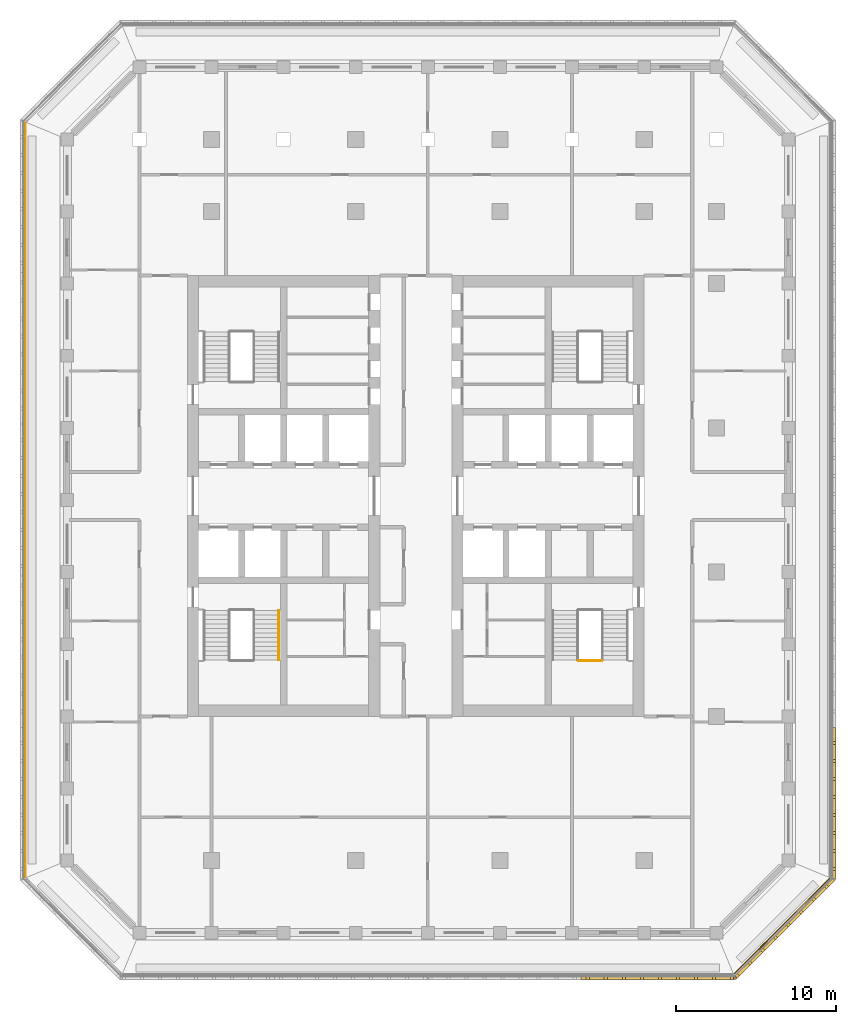
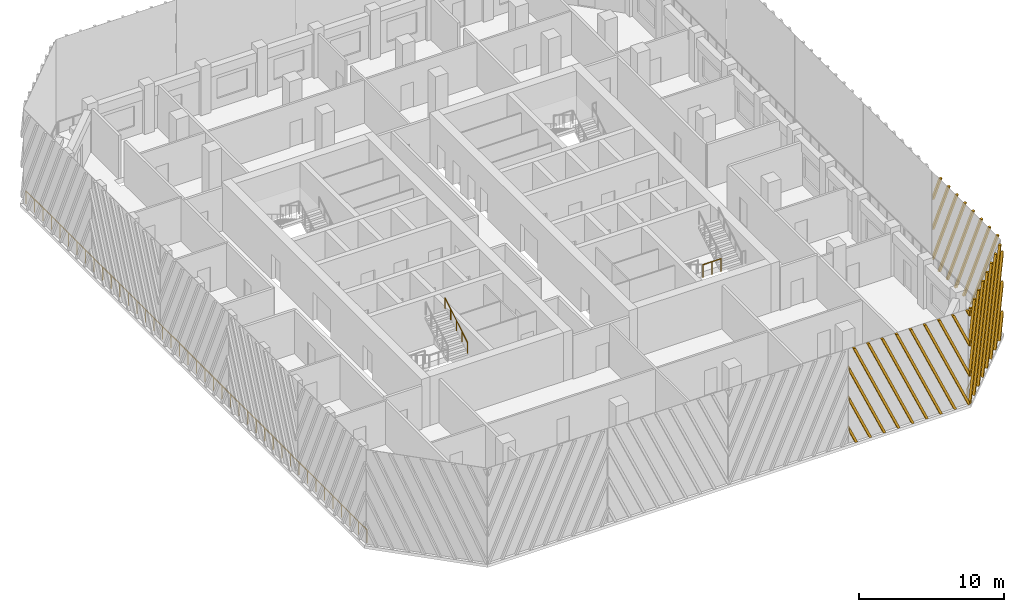
# One storey, part 11 of 17: 4 railings, 3 shading devices.
"""IFC4 building model written with IfcOpenShell, lengths in metres."""

import ifcopenshell
import ifcopenshell.guid

model = None  # the IFC model being written
_history = None  # IfcOwnerHistory: only IFC2X3 demands one
_inside = {}  # id of a spatial element -> (the spatial element, [elements in it])
_under = {}  # id of a project, library or spatial element -> (it, [spatial elements below it])
_declared = {}  # id of a project -> (the project, [libraries it declares])
_typed = {}  # id of a type object -> (the type object, [elements of that type])
_made_of = {}  # id of a material, layer set ... -> (it, [elements and type objects made of it])


def new_model(schema):
    """Start an empty IFC model of exactly this schema.

    Asked for "IFC4X3", IfcOpenShell would pick the latest addendum, in which some entities
    have other attributes; the version numbers below select the first issue.
    IFC2X3 requires an IfcOwnerHistory on every rooted entity: one is made here for all.
    """
    global model, _history
    if schema == "IFC4X3":
        model = ifcopenshell.file(schema_version=(4, 3, 0, 0))
    else:
        model = ifcopenshell.file(schema=schema)
    _inside.clear()
    _under.clear()
    _declared.clear()
    _typed.clear()
    _made_of.clear()
    _history = None
    if model.schema == "IFC2X3":
        org = make("IfcOrganization", Name="unknown")
        user = make(
            "IfcPersonAndOrganization",
            ThePerson=make("IfcPerson", FamilyName="unknown"),
            TheOrganization=org,
        )
        app = make(
            "IfcApplication",
            ApplicationDeveloper=org,
            Version="unknown",
            ApplicationFullName="unknown",
            ApplicationIdentifier="unknown",
        )
        _history = make(
            "IfcOwnerHistory",
            OwningUser=user,
            OwningApplication=app,
            ChangeAction="ADDED",
            CreationDate=0,
        )
    return model


def make(cls, **values):
    """One entity of the class cls with the attributes given. An attribute that is None is left unset."""
    return model.create_entity(
        cls, **{name: value for name, value in values.items() if value is not None}
    )


def rooted(cls, **values):
    """An entity with a GlobalId (a new one), such as an element, a storey or a relation."""
    return make(cls, GlobalId=ifcopenshell.guid.new(), OwnerHistory=_history, **values)


def si_unit(unit_type, name, prefix=None):
    """IfcSIUnit, for example si_unit("LENGTHUNIT", "METRE", prefix="MILLI")."""
    return make("IfcSIUnit", UnitType=unit_type, Prefix=prefix, Name=name)


def assignment(units):
    """IfcUnitAssignment: the units of a project."""
    return None if units is None else make("IfcUnitAssignment", Units=units)


def point(xyz):
    """IfcCartesianPoint."""
    return None if xyz is None else make("IfcCartesianPoint", Coordinates=xyz)


def direction(xyz):
    """IfcDirection."""
    return None if xyz is None else make("IfcDirection", DirectionRatios=xyz)


def frame(location, z_axis=None, x_axis=None):
    """IfcAxis2Placement3D, a coordinate frame: its origin and axes. An axis left out is left unset."""
    return make(
        "IfcAxis2Placement3D",
        Location=point(location),
        Axis=direction(z_axis),
        RefDirection=direction(x_axis),
    )


def frame_2d(location, x_axis=None):
    """IfcAxis2Placement2D, a coordinate frame in the plane: its origin and x axis."""
    return make(
        "IfcAxis2Placement2D", Location=point(location), RefDirection=direction(x_axis)
    )


def origin():
    """The frame at (0, 0, 0) with its axes left unset."""
    return frame((0.0, 0.0, 0.0))


def origin_2d():
    """The frame at (0, 0) in the plane with its x axis left unset."""
    return frame_2d((0.0, 0.0))


def place(relative_to, where):
    """IfcLocalPlacement: puts the frame where relative to a parent placement (None: the world)."""
    return make(
        "IfcLocalPlacement", PlacementRelTo=relative_to, RelativePlacement=where
    )


def context(
    kind, dimensions, precision=None, world=None, true_north=None, identifier=None
):
    """IfcGeometricRepresentationContext, for example the 3D "Model" context."""
    return make(
        "IfcGeometricRepresentationContext",
        ContextIdentifier=identifier,
        ContextType=kind,
        CoordinateSpaceDimension=dimensions,
        Precision=precision,
        WorldCoordinateSystem=world,
        TrueNorth=true_north,
    )


def subcontext(parent, identifier, kind, view, scale=None):
    """IfcGeometricRepresentationSubContext, for example "Body" below "Model"."""
    return make(
        "IfcGeometricRepresentationSubContext",
        ContextIdentifier=identifier,
        ContextType=kind,
        ParentContext=parent,
        TargetScale=scale,
        TargetView=view,
    )


def project(units=None, contexts=None):
    """IfcProject with its units and contexts."""
    return rooted(
        "IfcProject",
        Name="project",
        RepresentationContexts=contexts,
        UnitsInContext=assignment(units),
    )


def spatial(cls, under=None, at=None, **own):
    """A site, building, storey or space (cls), placed at a placement, below another one or the project."""
    s = rooted(cls, ObjectPlacement=at, **own)
    if under is not None:
        _under.setdefault(under.id(), (under, []))[1].append(s)
    return s


def polyline(points):
    """IfcPolyline through the points."""
    return make("IfcPolyline", Points=[point(p) for p in points])


def profile(cls, at=None, kind="AREA", **sizes):
    """A parametric profile (cls). Its sizes go by their IFC names, for example OverallWidth=200.0."""
    return make(cls, ProfileType=kind, Position=at, **sizes)


def circle(**sizes):
    """IfcCircleProfileDef."""
    return profile("IfcCircleProfileDef", **sizes)


def outline(outer, holes=None, kind="AREA"):
    """IfcArbitraryClosedProfileDef: a profile drawn as a closed curve; with holes, ...WithVoids."""
    if holes is None:
        return make("IfcArbitraryClosedProfileDef", ProfileType=kind, OuterCurve=outer)
    return make(
        "IfcArbitraryProfileDefWithVoids",
        ProfileType=kind,
        OuterCurve=outer,
        InnerCurves=holes,
    )


def extrude(swept, where, along, depth):
    """IfcExtrudedAreaSolid: the profile swept, set in the frame where, extruded along a direction by depth."""
    return make(
        "IfcExtrudedAreaSolid",
        SweptArea=swept,
        Position=where,
        ExtrudedDirection=direction(along),
        Depth=depth,
    )


def shape(context_of_items, identifier, shape_type, items):
    """IfcShapeRepresentation: the items that make up one representation, for example the "Body"."""
    return make(
        "IfcShapeRepresentation",
        ContextOfItems=context_of_items,
        RepresentationIdentifier=identifier,
        RepresentationType=shape_type,
        Items=items,
    )


def source(mapping_origin, context_of_items, identifier, shape_type, items):
    """IfcRepresentationMap: a shape defined once, which mapped items show again and again."""
    return make(
        "IfcRepresentationMap",
        MappingOrigin=mapping_origin,
        MappedRepresentation=shape(context_of_items, identifier, shape_type, items),
    )


def transform(
    local_origin,
    x_axis=None,
    y_axis=None,
    z_axis=None,
    scale=None,
    scale2=None,
    scale3=None,
    uniform=True,
):
    """IfcCartesianTransformationOperator3D, or its non-uniform kind. x_axis, y_axis, z_axis: its Axis1, 2, 3."""
    if uniform:
        return make(
            "IfcCartesianTransformationOperator3D",
            Axis1=direction(x_axis),
            Axis2=direction(y_axis),
            LocalOrigin=point(local_origin),
            Scale=scale,
            Axis3=direction(z_axis),
        )
    return make(
        "IfcCartesianTransformationOperator3DnonUniform",
        Axis1=direction(x_axis),
        Axis2=direction(y_axis),
        LocalOrigin=point(local_origin),
        Scale=scale,
        Axis3=direction(z_axis),
        Scale2=scale2,
        Scale3=scale3,
    )


def mapped(mapping_source, mapping_target):
    """IfcMappedItem: shows the shape of a source again, moved by a transform."""
    return make(
        "IfcMappedItem", MappingSource=mapping_source, MappingTarget=mapping_target
    )


def material(Name=None, Category=None):
    """IfcMaterial."""
    return make("IfcMaterial", Name=Name, Category=Category)


def made_of(thing, what):
    """Note that an element or type object is made of a material, layer set ...; save() writes the relation."""
    if what is not None:
        _made_of.setdefault(what.id(), (what, []))[1].append(thing)
    return thing


def type_object(cls, material=None, **own):
    """A type object (cls), such as IfcWallType, which elements share."""
    return made_of(rooted(cls, **own), material)


def element(
    cls,
    number,
    at=None,
    inside=None,
    cuts=None,
    type_object=None,
    material=None,
    context=None,
    identifier="Body",
    shape_type=None,
    held_by="IfcProductDefinitionShape",
    body=None,
    shapes=None,
    **own,
):
    """One element of the class cls, such as IfcWall. Its Tag is "e" and its number.

    at: its placement. inside: the storey or other place that contains it. cuts: it is an
    opening in that element (IfcRelVoidsElement). A single representation is given by context,
    identifier, shape_type and body (its items); several are given by shapes. held_by: the class
    of the entity that holds the representations. save() writes the other relations.
    """
    e = rooted(cls, Tag="e%d" % number, ObjectPlacement=at, **own)
    if body is not None:
        shapes = [shape(context, identifier, shape_type, body)]
    if shapes is not None:
        e.Representation = make(held_by, Representations=shapes)
    if inside is not None:
        _inside.setdefault(inside.id(), (inside, []))[1].append(e)
    if cuts is not None:
        rooted(
            "IfcRelVoidsElement", RelatingBuildingElement=cuts, RelatedOpeningElement=e
        )
    if type_object is not None:
        _typed.setdefault(type_object.id(), (type_object, []))[1].append(e)
    return made_of(e, material)


def aggregate(whole, parts):
    """IfcRelAggregates: a whole, such as a stair, and the parts it consists of."""
    return rooted("IfcRelAggregates", RelatingObject=whole, RelatedObjects=parts)


def save(model, path):
    """Write the relations noted so far, then the file.

    IfcRelAggregates (storeys below a building ...), IfcRelContainedInSpatialStructure (elements
    in a storey), IfcRelDefinesByType, IfcRelAssociatesMaterial and IfcRelDeclares: one each for
    every whole, place, type object, material and project.
    """
    for whole, parts in _under.values():
        aggregate(whole, parts)
    for where, things in _inside.values():
        rooted(
            "IfcRelContainedInSpatialStructure",
            RelatedElements=things,
            RelatingStructure=where,
        )
    for kind, things in _typed.values():
        rooted("IfcRelDefinesByType", RelatedObjects=things, RelatingType=kind)
    for what, things in _made_of.values():
        rooted("IfcRelAssociatesMaterial", RelatedObjects=things, RelatingMaterial=what)
    for by, libraries in _declared.values():
        rooted("IfcRelDeclares", RelatingContext=by, RelatedDefinitions=libraries)
    model.write(path)


model = new_model("IFC4")

# Units and contexts
model_context = context("Model", 3, precision=1e-05, world=origin(), true_north=direction((0.0, 1.0)))
body_context = subcontext(model_context, "Body", "Model", "MODEL_VIEW")
ifc_project = project(units=[si_unit("LENGTHUNIT", "METRE"), si_unit("AREAUNIT", "SQUARE_METRE"), si_unit("VOLUMEUNIT", "CUBIC_METRE"), si_unit("PLANEANGLEUNIT", "RADIAN"), si_unit("MASSUNIT", "GRAM", prefix="KILO")], contexts=[model_context])

# Site, building, storey
site_placement = place(None, origin())
site = spatial("IfcSite", under=ifc_project, at=site_placement, CompositionType="ELEMENT")
building_placement = place(site_placement, origin())
building = spatial("IfcBuilding", under=site, at=building_placement, Name="Corbel Stack Research Tower", CompositionType="ELEMENT")
storey_placement = place(building_placement, frame((0.0, 0.0, 231.60009765625)))
storey = spatial("IfcBuildingStorey", under=building, at=storey_placement, Name="L52", CompositionType="ELEMENT", Elevation=231.60009765625)

# Railings
ifc_material_1 = material(Name="Steel S355", Category="steel")
railing_type_1 = type_object("IfcRailingType", Name="Stair guard 1100", PredefinedType="GUARDRAIL", material=ifc_material_1)
railing_1_placement = place(storey_placement, frame((13.89990234375, -5.530029296875, 2.0498046875)))
element("IfcRailing", 1, at=railing_1_placement, inside=storey, type_object=railing_type_1, Name="L52 ST-E1 stair guard 2", PredefinedType="GUARDRAIL", context=body_context, shape_type="SweptSolid", body=[
    extrude(circle(Radius=0.02392578125, at=origin_2d()), frame((0.0, 0.0, 1.076171875), z_axis=(1.0, 0.0, 0.0), x_axis=(0.0, 1.0, 0.0)), (0.0, 0.0, 1.0), 1.4501953125),
    extrude(circle(Radius=0.02099609375, at=origin_2d()), origin(), (0.0, 0.0, 1.0), 1.052001953125),
    extrude(circle(Radius=0.02099609375, at=origin_2d()), frame((0.72509765625, 0.0, 0.0)), (0.0, 0.0, 1.0), 1.052001953125),
    extrude(circle(Radius=0.02099609375, at=origin_2d()), frame((1.4501953125, 0.0, 0.0)), (0.0, 0.0, 1.0), 1.052001953125),
])
ifc_material_2 = material(Name="Steel S355", Category="steel")
railing_type_2 = type_object("IfcRailingType", Name="Stair handrail 900", PredefinedType="HANDRAIL", material=ifc_material_2)
railing_2_placement = place(storey_placement, frame((-4.800048828125, -5.47998046875, 2.220703125)))
element("IfcRailing", 2, at=railing_2_placement, inside=storey, type_object=railing_type_2, Name="L52 ST-W1 stair handrail 2", PredefinedType="HANDRAIL", context=body_context, shape_type="SweptSolid", body=[
    extrude(circle(Radius=0.02392578125, at=origin_2d()), frame((0.0, 0.0, 0.8759765625), z_axis=(0.0, 0.853666305674, 0.52082035152), x_axis=(-1.0, 0.0, 0.0)), (0.0, 0.0, 1.0), 3.608154296875),
    extrude(circle(Radius=0.02099609375, at=origin_2d()), origin(), (0.0, 0.0, 1.0), 0.851806640625),
    extrude(circle(Radius=0.02099609375, at=origin_2d()), frame((0.0, 0.77001953125, 0.4697265625)), (0.0, 0.0, 1.0), 0.851806640625),
    extrude(circle(Radius=0.02099609375, at=origin_2d()), frame((0.0, 1.5400390625, 0.939453125)), (0.0, 0.0, 1.0), 0.851806640625),
    extrude(circle(Radius=0.02099609375, at=origin_2d()), frame((0.0, 2.31005859375, 1.409423828125)), (0.0, 0.0, 1.0), 0.851806640625),
    extrude(circle(Radius=0.02099609375, at=origin_2d()), frame((0.0, 3.080078125, 1.879150390625)), (0.0, 0.0, 1.0), 0.851806640625),
])
ifc_material_3 = material(Name="Powder-coated steel guard", Category="steel")
railing_type_3 = type_object("IfcRailingType", Name="Steel and glass guard 1100", PredefinedType="GUARDRAIL", material=ifc_material_3)
railing_3_placement = place(storey_placement, frame((23.627685546875, -25.04931640625, 0.0)))
element("IfcRailing", 3, at=railing_3_placement, inside=storey, type_object=railing_type_3, Name="Loggia guard L52 SE", PredefinedType="GUARDRAIL", context=body_context, shape_type="SweptSolid", body=[
    extrude(circle(Radius=0.02392578125, at=origin_2d()), frame((0.0, 0.0, 1.076171875), z_axis=(0.707106781187, 0.707106781187, 0.0), x_axis=(-0.707106781187, 0.707106781187, 0.0)), (0.0, 0.0, 1.0), 8.37451171875),
    extrude(circle(Radius=0.02099609375, at=origin_2d()), origin(), (0.0, 0.0, 1.0), 1.052001953125),
    extrude(circle(Radius=0.02099609375, at=origin_2d()), frame((0.845947265625, 0.845947265625, 0.0)), (0.0, 0.0, 1.0), 1.052001953125),
    extrude(circle(Radius=0.02099609375, at=origin_2d()), frame((1.69189453125, 1.69189453125, 0.0)), (0.0, 0.0, 1.0), 1.052001953125),
    extrude(circle(Radius=0.02099609375, at=origin_2d()), frame((2.537841796875, 2.537841796875, 0.0)), (0.0, 0.0, 1.0), 1.052001953125),
    extrude(circle(Radius=0.02099609375, at=origin_2d()), frame((3.3837890625, 3.3837890625, 0.0)), (0.0, 0.0, 1.0), 1.052001953125),
    extrude(circle(Radius=0.02099609375, at=origin_2d()), frame((4.229736328125, 4.229736328125, 0.0)), (0.0, 0.0, 1.0), 1.052001953125),
    extrude(circle(Radius=0.02099609375, at=origin_2d()), frame((5.07568359375, 5.07568359375, 0.0)), (0.0, 0.0, 1.0), 1.052001953125),
    extrude(circle(Radius=0.02099609375, at=origin_2d()), frame((5.921630859375, 5.921630859375, 0.0)), (0.0, 0.0, 1.0), 1.052001953125),
])
railing_4_placement = place(storey_placement, frame((-20.60009765625, 28.00537109375, 0.0)))
element("IfcRailing", 4, at=railing_4_placement, inside=storey, type_object=railing_type_3, Name="Loggia guard L52 W", PredefinedType="GUARDRAIL", context=body_context, shape_type="SweptSolid", body=[
    extrude(circle(Radius=0.02392578125, at=origin_2d()), frame((0.0, 0.0, 1.076171875), z_axis=(0.0, -1.0, 0.0), x_axis=(1.0, 0.0, 0.0)), (0.0, 0.0, 1.0), 47.0107421875),
    extrude(circle(Radius=0.02099609375, at=origin_2d()), origin(), (0.0, 0.0, 1.0), 1.052001953125),
    extrude(circle(Radius=0.02099609375, at=origin_2d()), frame((0.0, -1.17529296875, 0.0)), (0.0, 0.0, 1.0), 1.052001953125),
    extrude(circle(Radius=0.02099609375, at=origin_2d()), frame((0.0, -2.3505859375, 0.0)), (0.0, 0.0, 1.0), 1.052001953125),
    extrude(circle(Radius=0.02099609375, at=origin_2d()), frame((0.0, -3.52587890625, 0.0)), (0.0, 0.0, 1.0), 1.052001953125),
    extrude(circle(Radius=0.02099609375, at=origin_2d()), frame((0.0, -4.701171875, 0.0)), (0.0, 0.0, 1.0), 1.052001953125),
    extrude(circle(Radius=0.02099609375, at=origin_2d()), frame((0.0, -5.87646484375, 0.0)), (0.0, 0.0, 1.0), 1.052001953125),
    extrude(circle(Radius=0.02099609375, at=origin_2d()), frame((0.0, -7.051513671875, 0.0)), (0.0, 0.0, 1.0), 1.052001953125),
    extrude(circle(Radius=0.02099609375, at=origin_2d()), frame((0.0, -8.226806640625, 0.0)), (0.0, 0.0, 1.0), 1.052001953125),
    extrude(circle(Radius=0.02099609375, at=origin_2d()), frame((0.0, -9.402099609375, 0.0)), (0.0, 0.0, 1.0), 1.052001953125),
    extrude(circle(Radius=0.02099609375, at=origin_2d()), frame((0.0, -10.577392578125, 0.0)), (0.0, 0.0, 1.0), 1.052001953125),
    extrude(circle(Radius=0.02099609375, at=origin_2d()), frame((0.0, -11.752685546875, 0.0)), (0.0, 0.0, 1.0), 1.052001953125),
    extrude(circle(Radius=0.02099609375, at=origin_2d()), frame((0.0, -12.927978515625, 0.0)), (0.0, 0.0, 1.0), 1.052001953125),
    extrude(circle(Radius=0.02099609375, at=origin_2d()), frame((0.0, -14.103271484375, 0.0)), (0.0, 0.0, 1.0), 1.052001953125),
    extrude(circle(Radius=0.02099609375, at=origin_2d()), frame((0.0, -15.278564453125, 0.0)), (0.0, 0.0, 1.0), 1.052001953125),
    extrude(circle(Radius=0.02099609375, at=origin_2d()), frame((0.0, -16.453857421875, 0.0)), (0.0, 0.0, 1.0), 1.052001953125),
    extrude(circle(Radius=0.02099609375, at=origin_2d()), frame((0.0, -17.62890625, 0.0)), (0.0, 0.0, 1.0), 1.052001953125),
    extrude(circle(Radius=0.02099609375, at=origin_2d()), frame((0.0, -18.80419921875, 0.0)), (0.0, 0.0, 1.0), 1.052001953125),
    extrude(circle(Radius=0.02099609375, at=origin_2d()), frame((0.0, -19.9794921875, 0.0)), (0.0, 0.0, 1.0), 1.052001953125),
    extrude(circle(Radius=0.02099609375, at=origin_2d()), frame((0.0, -21.15478515625, 0.0)), (0.0, 0.0, 1.0), 1.052001953125),
    extrude(circle(Radius=0.02099609375, at=origin_2d()), frame((0.0, -22.330078125, 0.0)), (0.0, 0.0, 1.0), 1.052001953125),
    extrude(circle(Radius=0.02099609375, at=origin_2d()), frame((0.0, -23.50537109375, 0.0)), (0.0, 0.0, 1.0), 1.052001953125),
    extrude(circle(Radius=0.02099609375, at=origin_2d()), frame((0.0, -24.6806640625, 0.0)), (0.0, 0.0, 1.0), 1.052001953125),
    extrude(circle(Radius=0.02099609375, at=origin_2d()), frame((0.0, -25.85595703125, 0.0)), (0.0, 0.0, 1.0), 1.052001953125),
    extrude(circle(Radius=0.02099609375, at=origin_2d()), frame((0.0, -27.03125, 0.0)), (0.0, 0.0, 1.0), 1.052001953125),
    extrude(circle(Radius=0.02099609375, at=origin_2d()), frame((0.0, -28.20654296875, 0.0)), (0.0, 0.0, 1.0), 1.052001953125),
    extrude(circle(Radius=0.02099609375, at=origin_2d()), frame((0.0, -29.3818359375, 0.0)), (0.0, 0.0, 1.0), 1.052001953125),
    extrude(circle(Radius=0.02099609375, at=origin_2d()), frame((0.0, -30.556884765625, 0.0)), (0.0, 0.0, 1.0), 1.052001953125),
    extrude(circle(Radius=0.02099609375, at=origin_2d()), frame((0.0, -31.732177734375, 0.0)), (0.0, 0.0, 1.0), 1.052001953125),
    extrude(circle(Radius=0.02099609375, at=origin_2d()), frame((0.0, -32.907470703125, 0.0)), (0.0, 0.0, 1.0), 1.052001953125),
    extrude(circle(Radius=0.02099609375, at=origin_2d()), frame((0.0, -34.082763671875, 0.0)), (0.0, 0.0, 1.0), 1.052001953125),
    extrude(circle(Radius=0.02099609375, at=origin_2d()), frame((0.0, -35.258056640625, 0.0)), (0.0, 0.0, 1.0), 1.052001953125),
    extrude(circle(Radius=0.02099609375, at=origin_2d()), frame((0.0, -36.433349609375, 0.0)), (0.0, 0.0, 1.0), 1.052001953125),
    extrude(circle(Radius=0.02099609375, at=origin_2d()), frame((0.0, -37.608642578125, 0.0)), (0.0, 0.0, 1.0), 1.052001953125),
    extrude(circle(Radius=0.02099609375, at=origin_2d()), frame((0.0, -38.783935546875, 0.0)), (0.0, 0.0, 1.0), 1.052001953125),
    extrude(circle(Radius=0.02099609375, at=origin_2d()), frame((0.0, -39.959228515625, 0.0)), (0.0, 0.0, 1.0), 1.052001953125),
    extrude(circle(Radius=0.02099609375, at=origin_2d()), frame((0.0, -41.13427734375, 0.0)), (0.0, 0.0, 1.0), 1.052001953125),
    extrude(circle(Radius=0.02099609375, at=origin_2d()), frame((0.0, -42.3095703125, 0.0)), (0.0, 0.0, 1.0), 1.052001953125),
    extrude(circle(Radius=0.02099609375, at=origin_2d()), frame((0.0, -43.48486328125, 0.0)), (0.0, 0.0, 1.0), 1.052001953125),
    extrude(circle(Radius=0.02099609375, at=origin_2d()), frame((0.0, -44.66015625, 0.0)), (0.0, 0.0, 1.0), 1.052001953125),
    extrude(circle(Radius=0.02099609375, at=origin_2d()), frame((0.0, -45.83544921875, 0.0)), (0.0, 0.0, 1.0), 1.052001953125),
    extrude(circle(Radius=0.02099609375, at=origin_2d()), frame((0.0, -47.0107421875, 0.0)), (0.0, 0.0, 1.0), 1.052001953125),
])

# Shading devices
ifc_material_4 = material(Name="Precast terracotta", Category="masonry")
shading_device_type = type_object("IfcShadingDeviceType", Name="Terracotta screen panel", PredefinedType="USERDEFINED", material=ifc_material_4)
shared_shape_1 = source(origin(), body_context, "Body", "SweptSolid", [
    extrude(outline(polyline([(0.66455078125, 0.0), (0.0, 1.49267578125), (0.0, 1.06591796875), (0.474609375, 0.0), (0.66455078125, 0.0)])), frame((0.0, 0.0, 0.0), z_axis=(0.0, -1.0, 0.0), x_axis=(1.0, 0.0, 0.0)), (0.0, 0.0, 1.0), 0.179931640625),
    extrude(outline(polyline([(1.78955078125, 0.0), (0.0, 4.019287109375), (0.0, 3.592529296875), (1.599609375, 0.0), (1.78955078125, 0.0)])), frame((0.0, 0.0, 0.0), z_axis=(0.0, -1.0, 0.0), x_axis=(1.0, 0.0, 0.0)), (0.0, 0.0, 1.0), 0.179931640625),
    extrude(outline(polyline([(2.91455078125, 0.0), (0.0, 6.546142578125), (0.0, 6.119384765625), (2.724609375, 0.0), (2.91455078125, 0.0)])), frame((0.0, 0.0, 0.0), z_axis=(0.0, -1.0, 0.0), x_axis=(1.0, 0.0, 0.0)), (0.0, 0.0, 1.0), 0.179931640625),
    extrude(outline(polyline([(4.03955078125, 0.0), (0.5, 7.949951171875), (0.31005859375, 7.949951171875), (3.849609375, 0.0), (4.03955078125, 0.0)])), frame((0.0, 0.0, 0.0), z_axis=(0.0, -1.0, 0.0), x_axis=(1.0, 0.0, 0.0)), (0.0, 0.0, 1.0), 0.179931640625),
    extrude(outline(polyline([(5.16455078125, 0.0), (1.625, 7.949951171875), (1.43505859375, 7.949951171875), (4.974609375, 0.0), (5.16455078125, 0.0)])), frame((0.0, 0.0, 0.0), z_axis=(0.0, -1.0, 0.0), x_axis=(1.0, 0.0, 0.0)), (0.0, 0.0, 1.0), 0.179931640625),
    extrude(outline(polyline([(6.28955078125, 0.0), (2.75, 7.949951171875), (2.56005859375, 7.949951171875), (6.099609375, 0.0), (6.28955078125, 0.0)])), frame((0.0, 0.0, 0.0), z_axis=(0.0, -1.0, 0.0), x_axis=(1.0, 0.0, 0.0)), (0.0, 0.0, 1.0), 0.179931640625),
    extrude(outline(polyline([(7.41455078125, 0.0), (3.875, 7.949951171875), (3.68505859375, 7.949951171875), (7.224609375, 0.0), (7.41455078125, 0.0)])), frame((0.0, 0.0, 0.0), z_axis=(0.0, -1.0, 0.0), x_axis=(1.0, 0.0, 0.0)), (0.0, 0.0, 1.0), 0.179931640625),
    extrude(outline(polyline([(8.53955078125, 0.0), (5.0, 7.949951171875), (4.81005859375, 7.949951171875), (8.349609375, 0.0), (8.53955078125, 0.0)])), frame((0.0, 0.0, 0.0), z_axis=(0.0, -1.0, 0.0), x_axis=(1.0, 0.0, 0.0)), (0.0, 0.0, 1.0), 0.179931640625),
    extrude(outline(polyline([(9.569580078125, 0.0), (9.569580078125, 0.21337890625), (6.125, 7.949951171875), (5.93505859375, 7.949951171875), (9.474609375, 0.0), (9.569580078125, 0.0)])), frame((0.0, 0.0, 0.0), z_axis=(0.0, -1.0, 0.0), x_axis=(1.0, 0.0, 0.0)), (0.0, 0.0, 1.0), 0.179931640625),
    extrude(outline(polyline([(7.25, 7.949951171875), (7.06005859375, 7.949951171875), (9.569580078125, 2.3134765625), (9.569580078125, 2.740234375), (7.25, 7.949951171875)])), frame((0.0, 0.0, 0.0), z_axis=(0.0, -1.0, 0.0), x_axis=(1.0, 0.0, 0.0)), (0.0, 0.0, 1.0), 0.179931640625),
    extrude(outline(polyline([(8.375, 7.949951171875), (8.18505859375, 7.949951171875), (9.569580078125, 4.840087890625), (9.569580078125, 5.26708984375), (8.375, 7.949951171875)])), frame((0.0, 0.0, 0.0), z_axis=(0.0, -1.0, 0.0), x_axis=(1.0, 0.0, 0.0)), (0.0, 0.0, 1.0), 0.179931640625),
    extrude(outline(polyline([(9.5, 7.949951171875), (9.31005859375, 7.949951171875), (9.569580078125, 7.366943359375), (9.569580078125, 7.793701171875), (9.5, 7.949951171875)])), frame((0.0, 0.0, 0.0), z_axis=(0.0, -1.0, 0.0), x_axis=(1.0, 0.0, 0.0)), (0.0, 0.0, 1.0), 0.179931640625),
])
shading_device_1_placement = place(storey_placement, frame((14.069580078125, -25.25, 0.0), z_axis=(0.0, 0.0, 1.0), x_axis=(1.0, 0.0, 0.0)))
element("IfcShadingDevice", 5, at=shading_device_1_placement, inside=storey, type_object=shading_device_type, Name="Terracotta screen L52 S4", ObjectType="SCREEN", PredefinedType="USERDEFINED", context=body_context, shape_type="MappedRepresentation", body=[
    mapped(shared_shape_1, transform((0.0, 0.0, 0.0))),
])
shared_shape_2 = source(origin(), body_context, "Body", "SweptSolid", [
    extrude(outline(polyline([(0.259521484375, 7.949951171875), (0.069580078125, 7.949951171875), (0.0, 7.793701171875), (0.0, 7.366943359375), (0.259521484375, 7.949951171875)])), frame((0.0, 0.0, 0.0), z_axis=(0.0, -1.0, 0.0), x_axis=(1.0, 0.0, 0.0)), (0.0, 0.0, 1.0), 0.179931640625),
    extrude(outline(polyline([(1.384521484375, 7.949951171875), (1.194580078125, 7.949951171875), (0.0, 5.26708984375), (0.0, 4.840087890625), (1.384521484375, 7.949951171875)])), frame((0.0, 0.0, 0.0), z_axis=(0.0, -1.0, 0.0), x_axis=(1.0, 0.0, 0.0)), (0.0, 0.0, 1.0), 0.179931640625),
    extrude(outline(polyline([(2.509521484375, 7.949951171875), (2.319580078125, 7.949951171875), (0.0, 2.740234375), (0.0, 2.3134765625), (2.509521484375, 7.949951171875)])), frame((0.0, 0.0, 0.0), z_axis=(0.0, -1.0, 0.0), x_axis=(1.0, 0.0, 0.0)), (0.0, 0.0, 1.0), 0.179931640625),
    extrude(outline(polyline([(0.094970703125, 0.0), (3.634521484375, 7.949951171875), (3.444580078125, 7.949951171875), (0.0, 0.21337890625), (0.0, 0.0), (0.094970703125, 0.0)])), frame((0.0, 0.0, 0.0), z_axis=(0.0, -1.0, 0.0), x_axis=(1.0, 0.0, 0.0)), (0.0, 0.0, 1.0), 0.179931640625),
    extrude(outline(polyline([(1.219970703125, 0.0), (4.759521484375, 7.949951171875), (4.569580078125, 7.949951171875), (1.030029296875, 0.0), (1.219970703125, 0.0)])), frame((0.0, 0.0, 0.0), z_axis=(0.0, -1.0, 0.0), x_axis=(1.0, 0.0, 0.0)), (0.0, 0.0, 1.0), 0.179931640625),
    extrude(outline(polyline([(2.344970703125, 0.0), (5.884521484375, 7.949951171875), (5.694580078125, 7.949951171875), (2.155029296875, 0.0), (2.344970703125, 0.0)])), frame((0.0, 0.0, 0.0), z_axis=(0.0, -1.0, 0.0), x_axis=(1.0, 0.0, 0.0)), (0.0, 0.0, 1.0), 0.179931640625),
    extrude(outline(polyline([(3.469970703125, 0.0), (7.009521484375, 7.949951171875), (6.819580078125, 7.949951171875), (3.280029296875, 0.0), (3.469970703125, 0.0)])), frame((0.0, 0.0, 0.0), z_axis=(0.0, -1.0, 0.0), x_axis=(1.0, 0.0, 0.0)), (0.0, 0.0, 1.0), 0.179931640625),
    extrude(outline(polyline([(4.594970703125, 0.0), (8.134521484375, 7.949951171875), (7.944580078125, 7.949951171875), (4.405029296875, 0.0), (4.594970703125, 0.0)])), frame((0.0, 0.0, 0.0), z_axis=(0.0, -1.0, 0.0), x_axis=(1.0, 0.0, 0.0)), (0.0, 0.0, 1.0), 0.179931640625),
    extrude(outline(polyline([(5.719970703125, 0.0), (8.64208984375, 6.563232421875), (8.64208984375, 6.989990234375), (5.530029296875, 0.0), (5.719970703125, 0.0)])), frame((0.0, 0.0, 0.0), z_axis=(0.0, -1.0, 0.0), x_axis=(1.0, 0.0, 0.0)), (0.0, 0.0, 1.0), 0.179931640625),
    extrude(outline(polyline([(6.844970703125, 0.0), (8.64208984375, 4.036376953125), (8.64208984375, 4.463134765625), (6.655029296875, 0.0), (6.844970703125, 0.0)])), frame((0.0, 0.0, 0.0), z_axis=(0.0, -1.0, 0.0), x_axis=(1.0, 0.0, 0.0)), (0.0, 0.0, 1.0), 0.179931640625),
    extrude(outline(polyline([(7.969970703125, 0.0), (8.64208984375, 1.509521484375), (8.64208984375, 1.936279296875), (7.780029296875, 0.0), (7.969970703125, 0.0)])), frame((0.0, 0.0, 0.0), z_axis=(0.0, -1.0, 0.0), x_axis=(1.0, 0.0, 0.0)), (0.0, 0.0, 1.0), 0.179931640625),
])
shading_device_2_placement = place(storey_placement, frame((23.63916015625, -25.25, 0.0), z_axis=(0.0, 0.0, 1.0), x_axis=(0.707106781187, 0.707106781187, 0.0)))
element("IfcShadingDevice", 6, at=shading_device_2_placement, inside=storey, type_object=shading_device_type, Name="Terracotta screen L52 SE1", ObjectType="SCREEN", PredefinedType="USERDEFINED", context=body_context, shape_type="MappedRepresentation", body=[
    mapped(shared_shape_2, transform((0.0, 0.0, 0.0))),
])
shared_shape_3 = source(origin(), body_context, "Body", "SweptSolid", [
    extrude(outline(polyline([(0.862060546875, 0.0), (0.0, 1.936279296875), (0.0, 1.509521484375), (0.672119140625, 0.0), (0.862060546875, 0.0)])), frame((0.0, 0.0, 0.0), z_axis=(0.0, -1.0, 0.0), x_axis=(1.0, 0.0, 0.0)), (0.0, 0.0, 1.0), 0.179931640625),
    extrude(outline(polyline([(1.987060546875, 0.0), (0.0, 4.463134765625), (0.0, 4.036376953125), (1.797119140625, 0.0), (1.987060546875, 0.0)])), frame((0.0, 0.0, 0.0), z_axis=(0.0, -1.0, 0.0), x_axis=(1.0, 0.0, 0.0)), (0.0, 0.0, 1.0), 0.179931640625),
    extrude(outline(polyline([(3.112060546875, 0.0), (0.0, 6.989990234375), (0.0, 6.563232421875), (2.922119140625, 0.0), (3.112060546875, 0.0)])), frame((0.0, 0.0, 0.0), z_axis=(0.0, -1.0, 0.0), x_axis=(1.0, 0.0, 0.0)), (0.0, 0.0, 1.0), 0.179931640625),
    extrude(outline(polyline([(4.237060546875, 0.0), (0.697509765625, 7.949951171875), (0.507568359375, 7.949951171875), (4.047119140625, 0.0), (4.237060546875, 0.0)])), frame((0.0, 0.0, 0.0), z_axis=(0.0, -1.0, 0.0), x_axis=(1.0, 0.0, 0.0)), (0.0, 0.0, 1.0), 0.179931640625),
    extrude(outline(polyline([(5.362060546875, 0.0), (1.822509765625, 7.949951171875), (1.632568359375, 7.949951171875), (5.172119140625, 0.0), (5.362060546875, 0.0)])), frame((0.0, 0.0, 0.0), z_axis=(0.0, -1.0, 0.0), x_axis=(1.0, 0.0, 0.0)), (0.0, 0.0, 1.0), 0.179931640625),
    extrude(outline(polyline([(6.487060546875, 0.0), (2.947509765625, 7.949951171875), (2.757568359375, 7.949951171875), (6.297119140625, 0.0), (6.487060546875, 0.0)])), frame((0.0, 0.0, 0.0), z_axis=(0.0, -1.0, 0.0), x_axis=(1.0, 0.0, 0.0)), (0.0, 0.0, 1.0), 0.179931640625),
    extrude(outline(polyline([(7.612060546875, 0.0), (4.072509765625, 7.949951171875), (3.882568359375, 7.949951171875), (7.422119140625, 0.0), (7.612060546875, 0.0)])), frame((0.0, 0.0, 0.0), z_axis=(0.0, -1.0, 0.0), x_axis=(1.0, 0.0, 0.0)), (0.0, 0.0, 1.0), 0.179931640625),
    extrude(outline(polyline([(8.737060546875, 0.0), (5.197509765625, 7.949951171875), (5.007568359375, 7.949951171875), (8.547119140625, 0.0), (8.737060546875, 0.0)])), frame((0.0, 0.0, 0.0), z_axis=(0.0, -1.0, 0.0), x_axis=(1.0, 0.0, 0.0)), (0.0, 0.0, 1.0), 0.179931640625),
    extrude(outline(polyline([(6.322509765625, 7.949951171875), (6.132568359375, 7.949951171875), (9.45556640625, 0.486328125), (9.45556640625, 0.9130859375), (6.322509765625, 7.949951171875)])), frame((0.0, 0.0, 0.0), z_axis=(0.0, -1.0, 0.0), x_axis=(1.0, 0.0, 0.0)), (0.0, 0.0, 1.0), 0.179931640625),
    extrude(outline(polyline([(7.447509765625, 7.949951171875), (7.257568359375, 7.949951171875), (9.45556640625, 3.01318359375), (9.45556640625, 3.439697265625), (7.447509765625, 7.949951171875)])), frame((0.0, 0.0, 0.0), z_axis=(0.0, -1.0, 0.0), x_axis=(1.0, 0.0, 0.0)), (0.0, 0.0, 1.0), 0.179931640625),
    extrude(outline(polyline([(8.572509765625, 7.949951171875), (8.382568359375, 7.949951171875), (9.45556640625, 5.539794921875), (9.45556640625, 5.966552734375), (8.572509765625, 7.949951171875)])), frame((0.0, 0.0, 0.0), z_axis=(0.0, -1.0, 0.0), x_axis=(1.0, 0.0, 0.0)), (0.0, 0.0, 1.0), 0.179931640625),
])
shading_device_3_placement = place(storey_placement, frame((29.75, -19.13916015625, 0.0), z_axis=(0.0, 0.0, 1.0), x_axis=(0.0, 1.0, 0.0)))
element("IfcShadingDevice", 7, at=shading_device_3_placement, inside=storey, type_object=shading_device_type, Name="Terracotta screen L52 E1", ObjectType="SCREEN", PredefinedType="USERDEFINED", context=body_context, shape_type="MappedRepresentation", body=[
    mapped(shared_shape_3, transform((0.0, 0.0, 0.0))),
])

save(model, "model.ifc")
